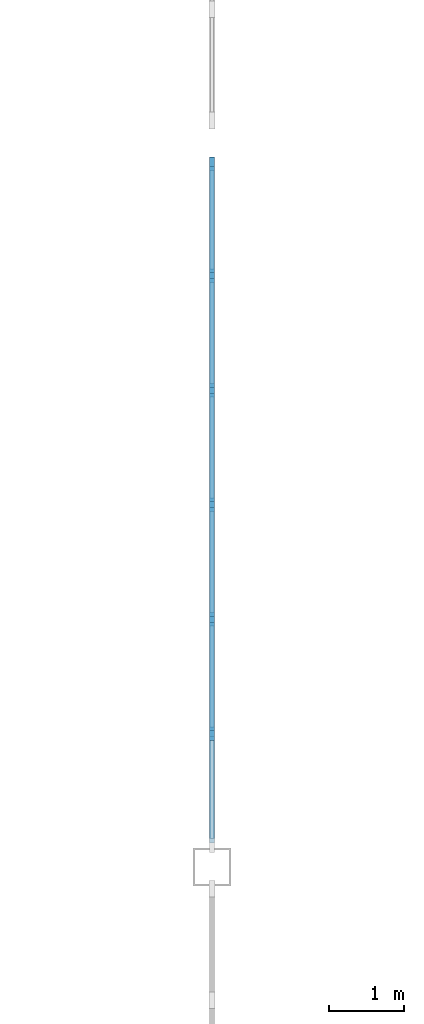
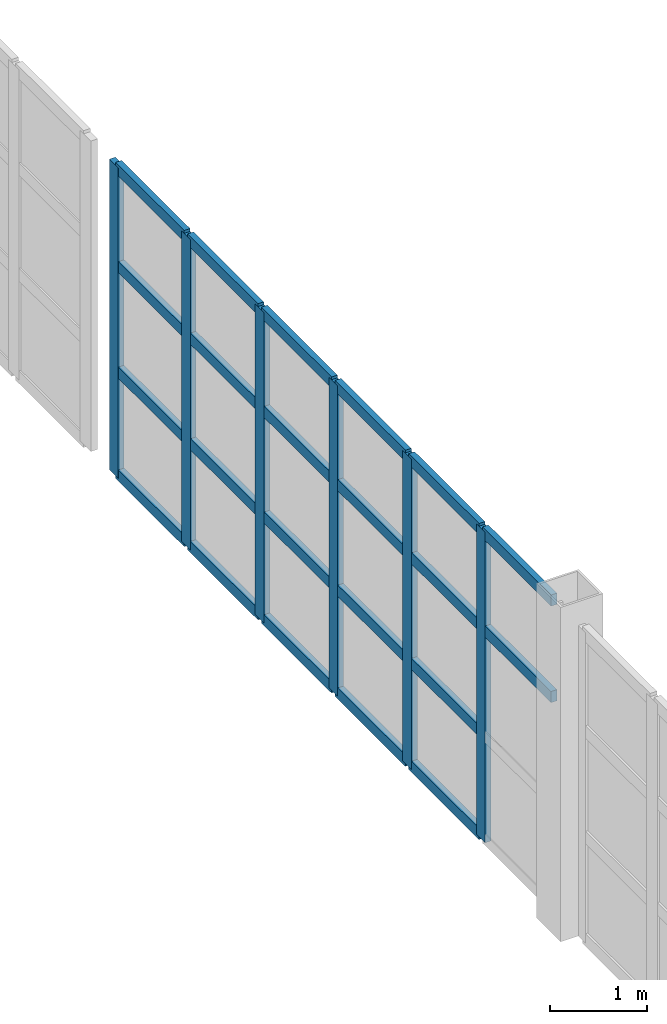
# One storey, part 36 of 82: 28 members, 1 element without a shape of its own.
"""IFC4 building model written with IfcOpenShell, lengths in metres."""

from ifc_helpers import new_model, si_unit, direction, frame, origin, origin_2d, place, context, subcontext, project, spatial, rectangle, extrude, material, layer, layer_set, material_profile, profile_set, type_object, element, aggregate, save


model = new_model("IFC4")

# Units and contexts
model_context = context("Model", 3, precision=1e-05, world=origin(), true_north=direction((0.0, 1.0)))
body_context = subcontext(model_context, "Body", "Model", "MODEL_VIEW")
ifc_project = project(units=[si_unit("LENGTHUNIT", "METRE"), si_unit("AREAUNIT", "SQUARE_METRE"), si_unit("VOLUMEUNIT", "CUBIC_METRE"), si_unit("PLANEANGLEUNIT", "RADIAN"), si_unit("MASSUNIT", "GRAM", prefix="KILO")], contexts=[model_context])

# Site, building, storey
site_placement = place(None, origin())
site = spatial("IfcSite", under=ifc_project, at=site_placement, CompositionType="ELEMENT")
building_placement = place(site_placement, origin())
building = spatial("IfcBuilding", under=site, at=building_placement, Name="Zarnetskaya Central Station", CompositionType="ELEMENT")
storey_placement = place(building_placement, frame((0.0, 0.0, 10.199951171875)))
storey = spatial("IfcBuildingStorey", under=building, at=storey_placement, Name="L02", CompositionType="ELEMENT", Elevation=10.199951171875)

# Curtain wall, members
ifc_material_1 = material(Name="Low-E insulated glass", Category="glass")
ifc_layer = layer(ifc_material_1, 0.1640625, Name="Low-E insulated glass", Category="glass")
ifc_layer_set = layer_set([ifc_layer], Name="Low-E insulated glass")
curtain_wall_type = type_object("IfcCurtainWallType", Name="CW-SYS-12", PredefinedType="USERDEFINED", material=ifc_layer_set)
curtain_wall_placement = place(storey_placement, origin())
curtain_wall = element("IfcCurtainWall", 1, at=curtain_wall_placement, inside=storey, type_object=curtain_wall_type, Name="Curtain wall CW-L02-179", ObjectType="CURTAIN WALL", PredefinedType="USERDEFINED")
ifc_material_2 = material(Name="Anodised aluminium", Category="aluminium")
ifc_material_profile_1 = material_profile(ifc_material_2, rectangle(XDim=0.070068359375, YDim=0.179931640625, at=origin_2d()), Name="ALU MULL 70x180")
ifc_profile_set_1 = profile_set([ifc_material_profile_1], Name="Anodised aluminium")
member_type_1 = type_object("IfcMemberType", Name="CW-MULL-180", PredefinedType="MULLION", material=ifc_profile_set_1)
member_1_placement = place(storey_placement, frame((124.800048828125, 95.715087890625, 0.0), z_axis=(0.0, 0.0, 1.0), x_axis=(1.0, 0.0, 0.0)))
member_1 = element("IfcMember", 2, at=member_1_placement, type_object=member_type_1, Name="CW-18 mullion 1", PredefinedType="MULLION", context=body_context, shape_type="SweptSolid", body=[
    extrude(rectangle(XDim=0.070068359375, YDim=0.179931640625, at=origin_2d()), origin(), (0.0, 0.0, 1.0), 3.900146484375),
])
member_2_placement = place(storey_placement, frame((124.800048828125, 94.2333984375, 0.0), z_axis=(0.0, 0.0, 1.0), x_axis=(1.0, 0.0, 0.0)))
member_2 = element("IfcMember", 3, at=member_2_placement, type_object=member_type_1, Name="CW-18 mullion 2", PredefinedType="MULLION", context=body_context, shape_type="SweptSolid", body=[
    extrude(rectangle(XDim=0.070068359375, YDim=0.179931640625, at=origin_2d()), origin(), (0.0, 0.0, 1.0), 3.900146484375),
])
member_3_placement = place(storey_placement, frame((124.800048828125, 92.716552734375, 0.0), z_axis=(0.0, 0.0, 1.0), x_axis=(1.0, 0.0, 0.0)))
member_3 = element("IfcMember", 4, at=member_3_placement, type_object=member_type_1, Name="CW-18 mullion 3", PredefinedType="MULLION", context=body_context, shape_type="SweptSolid", body=[
    extrude(rectangle(XDim=0.070068359375, YDim=0.179931640625, at=origin_2d()), origin(), (0.0, 0.0, 1.0), 3.900146484375),
])
member_4_placement = place(storey_placement, frame((124.800048828125, 91.199951171875, 0.0), z_axis=(0.0, 0.0, 1.0), x_axis=(1.0, 0.0, 0.0)))
member_4 = element("IfcMember", 5, at=member_4_placement, type_object=member_type_1, Name="CW-18 mullion 4", PredefinedType="MULLION", context=body_context, shape_type="SweptSolid", body=[
    extrude(rectangle(XDim=0.070068359375, YDim=0.179931640625, at=origin_2d()), origin(), (0.0, 0.0, 1.0), 3.900146484375),
])
member_5_placement = place(storey_placement, frame((124.800048828125, 89.683349609375, 0.0), z_axis=(0.0, 0.0, 1.0), x_axis=(1.0, 0.0, 0.0)))
member_5 = element("IfcMember", 6, at=member_5_placement, type_object=member_type_1, Name="CW-18 mullion 5", PredefinedType="MULLION", context=body_context, shape_type="SweptSolid", body=[
    extrude(rectangle(XDim=0.070068359375, YDim=0.179931640625, at=origin_2d()), origin(), (0.0, 0.0, 1.0), 3.900146484375),
])
member_6_placement = place(storey_placement, frame((124.800048828125, 88.166748046875, 0.0), z_axis=(0.0, 0.0, 1.0), x_axis=(1.0, 0.0, 0.0)))
member_6 = element("IfcMember", 7, at=member_6_placement, type_object=member_type_1, Name="CW-18 mullion 6", PredefinedType="MULLION", context=body_context, shape_type="SweptSolid", body=[
    extrude(rectangle(XDim=0.070068359375, YDim=0.179931640625, at=origin_2d()), origin(), (0.0, 0.0, 1.0), 3.900146484375),
])
ifc_material_profile_2 = material_profile(ifc_material_2, rectangle(XDim=0.070068359375, YDim=0.139892578125, at=origin_2d()), Name="ALU TRAN 70x140")
ifc_profile_set_2 = profile_set([ifc_material_profile_2], Name="Anodised aluminium")
member_type_2 = type_object("IfcMemberType", Name="CW-TRAN-140", PredefinedType="USERDEFINED", material=ifc_profile_set_2)
member_7_placement = place(storey_placement, frame((124.800048828125, 95.679931640625, 0.03515625), z_axis=(0.0, -1.0, 0.0), x_axis=(1.0, 0.0, 0.0)))
member_7 = element("IfcMember", 8, at=member_7_placement, type_object=member_type_2, Name="CW-18 transom 1.1", ObjectType="TRANSOM", PredefinedType="USERDEFINED", context=body_context, shape_type="SweptSolid", body=[
    extrude(rectangle(XDim=0.070068359375, YDim=0.139892578125, at=origin_2d()), origin(), (0.0, 0.0, 1.0), 1.41162109375),
])
member_8_placement = place(storey_placement, frame((124.800048828125, 95.679931640625, 1.325927734375), z_axis=(0.0, -1.0, 0.0), x_axis=(1.0, 0.0, 0.0)))
member_8 = element("IfcMember", 9, at=member_8_placement, type_object=member_type_2, Name="CW-18 transom 1.2", ObjectType="TRANSOM", PredefinedType="USERDEFINED", context=body_context, shape_type="SweptSolid", body=[
    extrude(rectangle(XDim=0.070068359375, YDim=0.139892578125, at=origin_2d()), origin(), (0.0, 0.0, 1.0), 1.41162109375),
])
member_9_placement = place(storey_placement, frame((124.800048828125, 95.679931640625, 2.652099609375), z_axis=(0.0, -1.0, 0.0), x_axis=(1.0, 0.0, 0.0)))
member_9 = element("IfcMember", 10, at=member_9_placement, type_object=member_type_2, Name="CW-18 transom 1.3", ObjectType="TRANSOM", PredefinedType="USERDEFINED", context=body_context, shape_type="SweptSolid", body=[
    extrude(rectangle(XDim=0.070068359375, YDim=0.139892578125, at=origin_2d()), origin(), (0.0, 0.0, 1.0), 1.41162109375),
])
member_10_placement = place(storey_placement, frame((124.800048828125, 95.679931640625, 3.864990234375), z_axis=(0.0, -1.0, 0.0), x_axis=(1.0, 0.0, 0.0)))
member_10 = element("IfcMember", 11, at=member_10_placement, type_object=member_type_2, Name="CW-18 transom 1.4", ObjectType="TRANSOM", PredefinedType="USERDEFINED", context=body_context, shape_type="SweptSolid", body=[
    extrude(rectangle(XDim=0.070068359375, YDim=0.139892578125, at=origin_2d()), origin(), (0.0, 0.0, 1.0), 1.41162109375),
])
member_11_placement = place(storey_placement, frame((124.800048828125, 94.1982421875, 0.03515625), z_axis=(0.0, -1.0, 0.0), x_axis=(1.0, 0.0, 0.0)))
member_11 = element("IfcMember", 12, at=member_11_placement, type_object=member_type_2, Name="CW-18 transom 2.1", ObjectType="TRANSOM", PredefinedType="USERDEFINED", context=body_context, shape_type="SweptSolid", body=[
    extrude(rectangle(XDim=0.070068359375, YDim=0.139892578125, at=origin_2d()), origin(), (0.0, 0.0, 1.0), 1.446533203125),
])
member_12_placement = place(storey_placement, frame((124.800048828125, 94.1982421875, 1.325927734375), z_axis=(0.0, -1.0, 0.0), x_axis=(1.0, 0.0, 0.0)))
member_12 = element("IfcMember", 13, at=member_12_placement, type_object=member_type_2, Name="CW-18 transom 2.2", ObjectType="TRANSOM", PredefinedType="USERDEFINED", context=body_context, shape_type="SweptSolid", body=[
    extrude(rectangle(XDim=0.070068359375, YDim=0.139892578125, at=origin_2d()), origin(), (0.0, 0.0, 1.0), 1.446533203125),
])
member_13_placement = place(storey_placement, frame((124.800048828125, 94.1982421875, 2.652099609375), z_axis=(0.0, -1.0, 0.0), x_axis=(1.0, 0.0, 0.0)))
member_13 = element("IfcMember", 14, at=member_13_placement, type_object=member_type_2, Name="CW-18 transom 2.3", ObjectType="TRANSOM", PredefinedType="USERDEFINED", context=body_context, shape_type="SweptSolid", body=[
    extrude(rectangle(XDim=0.070068359375, YDim=0.139892578125, at=origin_2d()), origin(), (0.0, 0.0, 1.0), 1.446533203125),
])
member_14_placement = place(storey_placement, frame((124.800048828125, 94.1982421875, 3.864990234375), z_axis=(0.0, -1.0, 0.0), x_axis=(1.0, 0.0, 0.0)))
member_14 = element("IfcMember", 15, at=member_14_placement, type_object=member_type_2, Name="CW-18 transom 2.4", ObjectType="TRANSOM", PredefinedType="USERDEFINED", context=body_context, shape_type="SweptSolid", body=[
    extrude(rectangle(XDim=0.070068359375, YDim=0.139892578125, at=origin_2d()), origin(), (0.0, 0.0, 1.0), 1.446533203125),
])
member_15_placement = place(storey_placement, frame((124.800048828125, 92.681640625, 0.03515625), z_axis=(0.0, -1.0, 0.0), x_axis=(1.0, 0.0, 0.0)))
member_15 = element("IfcMember", 16, at=member_15_placement, type_object=member_type_2, Name="CW-18 transom 3.1", ObjectType="TRANSOM", PredefinedType="USERDEFINED", context=body_context, shape_type="SweptSolid", body=[
    extrude(rectangle(XDim=0.070068359375, YDim=0.139892578125, at=origin_2d()), origin(), (0.0, 0.0, 1.0), 1.446533203125),
])
member_16_placement = place(storey_placement, frame((124.800048828125, 92.681640625, 1.325927734375), z_axis=(0.0, -1.0, 0.0), x_axis=(1.0, 0.0, 0.0)))
member_16 = element("IfcMember", 17, at=member_16_placement, type_object=member_type_2, Name="CW-18 transom 3.2", ObjectType="TRANSOM", PredefinedType="USERDEFINED", context=body_context, shape_type="SweptSolid", body=[
    extrude(rectangle(XDim=0.070068359375, YDim=0.139892578125, at=origin_2d()), origin(), (0.0, 0.0, 1.0), 1.446533203125),
])
member_17_placement = place(storey_placement, frame((124.800048828125, 92.681640625, 2.652099609375), z_axis=(0.0, -1.0, 0.0), x_axis=(1.0, 0.0, 0.0)))
member_17 = element("IfcMember", 18, at=member_17_placement, type_object=member_type_2, Name="CW-18 transom 3.3", ObjectType="TRANSOM", PredefinedType="USERDEFINED", context=body_context, shape_type="SweptSolid", body=[
    extrude(rectangle(XDim=0.070068359375, YDim=0.139892578125, at=origin_2d()), origin(), (0.0, 0.0, 1.0), 1.446533203125),
])
member_18_placement = place(storey_placement, frame((124.800048828125, 92.681640625, 3.864990234375), z_axis=(0.0, -1.0, 0.0), x_axis=(1.0, 0.0, 0.0)))
member_18 = element("IfcMember", 19, at=member_18_placement, type_object=member_type_2, Name="CW-18 transom 3.4", ObjectType="TRANSOM", PredefinedType="USERDEFINED", context=body_context, shape_type="SweptSolid", body=[
    extrude(rectangle(XDim=0.070068359375, YDim=0.139892578125, at=origin_2d()), origin(), (0.0, 0.0, 1.0), 1.446533203125),
])
member_19_placement = place(storey_placement, frame((124.800048828125, 91.1650390625, 0.03515625), z_axis=(0.0, -1.0, 0.0), x_axis=(1.0, 0.0, 0.0)))
member_19 = element("IfcMember", 20, at=member_19_placement, type_object=member_type_2, Name="CW-18 transom 4.1", ObjectType="TRANSOM", PredefinedType="USERDEFINED", context=body_context, shape_type="SweptSolid", body=[
    extrude(rectangle(XDim=0.070068359375, YDim=0.139892578125, at=origin_2d()), origin(), (0.0, 0.0, 1.0), 1.44677734375),
])
member_20_placement = place(storey_placement, frame((124.800048828125, 91.1650390625, 1.325927734375), z_axis=(0.0, -1.0, 0.0), x_axis=(1.0, 0.0, 0.0)))
member_20 = element("IfcMember", 21, at=member_20_placement, type_object=member_type_2, Name="CW-18 transom 4.2", ObjectType="TRANSOM", PredefinedType="USERDEFINED", context=body_context, shape_type="SweptSolid", body=[
    extrude(rectangle(XDim=0.070068359375, YDim=0.139892578125, at=origin_2d()), origin(), (0.0, 0.0, 1.0), 1.44677734375),
])
member_21_placement = place(storey_placement, frame((124.800048828125, 91.1650390625, 2.652099609375), z_axis=(0.0, -1.0, 0.0), x_axis=(1.0, 0.0, 0.0)))
member_21 = element("IfcMember", 22, at=member_21_placement, type_object=member_type_2, Name="CW-18 transom 4.3", ObjectType="TRANSOM", PredefinedType="USERDEFINED", context=body_context, shape_type="SweptSolid", body=[
    extrude(rectangle(XDim=0.070068359375, YDim=0.139892578125, at=origin_2d()), origin(), (0.0, 0.0, 1.0), 1.44677734375),
])
member_22_placement = place(storey_placement, frame((124.800048828125, 91.1650390625, 3.864990234375), z_axis=(0.0, -1.0, 0.0), x_axis=(1.0, 0.0, 0.0)))
member_22 = element("IfcMember", 23, at=member_22_placement, type_object=member_type_2, Name="CW-18 transom 4.4", ObjectType="TRANSOM", PredefinedType="USERDEFINED", context=body_context, shape_type="SweptSolid", body=[
    extrude(rectangle(XDim=0.070068359375, YDim=0.139892578125, at=origin_2d()), origin(), (0.0, 0.0, 1.0), 1.44677734375),
])
member_23_placement = place(storey_placement, frame((124.800048828125, 89.6484375, 0.03515625), z_axis=(0.0, -1.0, 0.0), x_axis=(1.0, 0.0, 0.0)))
member_23 = element("IfcMember", 24, at=member_23_placement, type_object=member_type_2, Name="CW-18 transom 5.1", ObjectType="TRANSOM", PredefinedType="USERDEFINED", context=body_context, shape_type="SweptSolid", body=[
    extrude(rectangle(XDim=0.070068359375, YDim=0.139892578125, at=origin_2d()), origin(), (0.0, 0.0, 1.0), 1.44677734375),
])
member_24_placement = place(storey_placement, frame((124.800048828125, 89.6484375, 1.325927734375), z_axis=(0.0, -1.0, 0.0), x_axis=(1.0, 0.0, 0.0)))
member_24 = element("IfcMember", 25, at=member_24_placement, type_object=member_type_2, Name="CW-18 transom 5.2", ObjectType="TRANSOM", PredefinedType="USERDEFINED", context=body_context, shape_type="SweptSolid", body=[
    extrude(rectangle(XDim=0.070068359375, YDim=0.139892578125, at=origin_2d()), origin(), (0.0, 0.0, 1.0), 1.44677734375),
])
member_25_placement = place(storey_placement, frame((124.800048828125, 89.6484375, 2.652099609375), z_axis=(0.0, -1.0, 0.0), x_axis=(1.0, 0.0, 0.0)))
member_25 = element("IfcMember", 26, at=member_25_placement, type_object=member_type_2, Name="CW-18 transom 5.3", ObjectType="TRANSOM", PredefinedType="USERDEFINED", context=body_context, shape_type="SweptSolid", body=[
    extrude(rectangle(XDim=0.070068359375, YDim=0.139892578125, at=origin_2d()), origin(), (0.0, 0.0, 1.0), 1.44677734375),
])
member_26_placement = place(storey_placement, frame((124.800048828125, 89.6484375, 3.864990234375), z_axis=(0.0, -1.0, 0.0), x_axis=(1.0, 0.0, 0.0)))
member_26 = element("IfcMember", 27, at=member_26_placement, type_object=member_type_2, Name="CW-18 transom 5.4", ObjectType="TRANSOM", PredefinedType="USERDEFINED", context=body_context, shape_type="SweptSolid", body=[
    extrude(rectangle(XDim=0.070068359375, YDim=0.139892578125, at=origin_2d()), origin(), (0.0, 0.0, 1.0), 1.44677734375),
])
member_27_placement = place(storey_placement, frame((124.800048828125, 88.131591796875, 2.652099609375), z_axis=(0.0, -1.0, 0.0), x_axis=(1.0, 0.0, 0.0)))
member_27 = element("IfcMember", 28, at=member_27_placement, type_object=member_type_2, Name="CW-18 transom 6.3", ObjectType="TRANSOM", PredefinedType="USERDEFINED", context=body_context, shape_type="SweptSolid", body=[
    extrude(rectangle(XDim=0.070068359375, YDim=0.139892578125, at=origin_2d()), origin(), (0.0, 0.0, 1.0), 1.41162109375),
])
member_28_placement = place(storey_placement, frame((124.800048828125, 88.131591796875, 3.864990234375), z_axis=(0.0, -1.0, 0.0), x_axis=(1.0, 0.0, 0.0)))
member_28 = element("IfcMember", 29, at=member_28_placement, type_object=member_type_2, Name="CW-18 transom 6.4", ObjectType="TRANSOM", PredefinedType="USERDEFINED", context=body_context, shape_type="SweptSolid", body=[
    extrude(rectangle(XDim=0.070068359375, YDim=0.139892578125, at=origin_2d()), origin(), (0.0, 0.0, 1.0), 1.41162109375),
])
aggregate(curtain_wall, [member_1, member_2, member_3, member_4, member_5, member_6, member_7, member_8, member_9, member_10, member_11, member_12, member_13, member_14, member_15, member_16, member_17, member_18, member_19, member_20, member_21, member_22, member_23, member_24, member_25, member_26, member_27, member_28])

save(model, "model.ifc")
